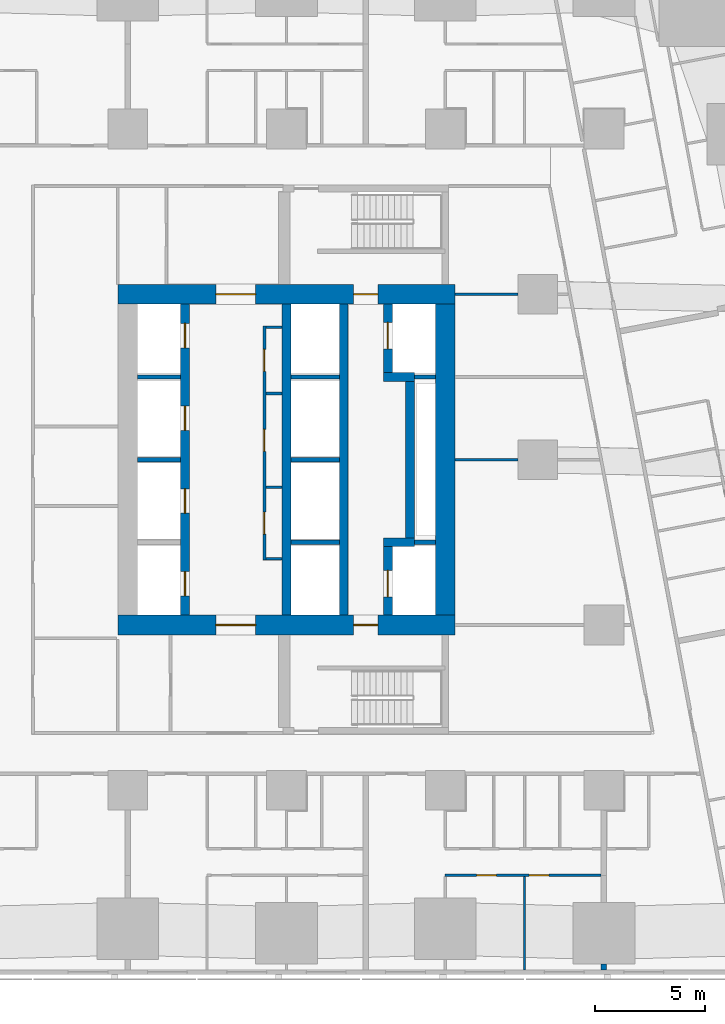
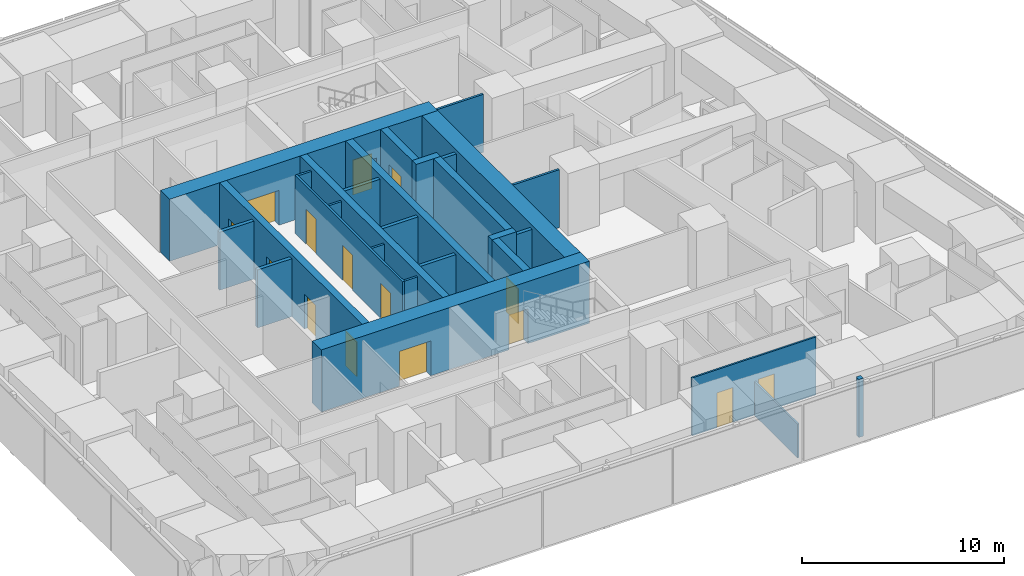
# One storey, part 8 of 18: 28 walls, 15 doors, 15 openings.
"""IFC4 building model written with IfcOpenShell, lengths in metres."""

from ifc_helpers import new_model, si_unit, direction, frame, frame_2d, origin, place, context, subcontext, project, spatial, rectangle, extrude, material, layer, layer_set, type_object, element, fill, save


model = new_model("IFC4")

# Units and contexts
model_context = context("Model", 3, precision=1e-05, world=origin(), true_north=direction((0.0, 1.0)))
body_context = subcontext(model_context, "Body", "Model", "MODEL_VIEW")
ifc_project = project(units=[si_unit("LENGTHUNIT", "METRE"), si_unit("AREAUNIT", "SQUARE_METRE"), si_unit("VOLUMEUNIT", "CUBIC_METRE"), si_unit("PLANEANGLEUNIT", "RADIAN"), si_unit("MASSUNIT", "GRAM", prefix="KILO")], contexts=[model_context])

# Site, building, storey
site_placement = place(None, origin())
site = spatial("IfcSite", under=ifc_project, at=site_placement, CompositionType="ELEMENT")
building_placement = place(site_placement, origin())
building = spatial("IfcBuilding", under=site, at=building_placement, Name="Sheger Commons Tower", CompositionType="ELEMENT")
storey_placement = place(building_placement, frame((0.0, 0.0, 31.25)))
storey = spatial("IfcBuildingStorey", under=building, at=storey_placement, Name="L07", CompositionType="ELEMENT", Elevation=31.25)

# Wall, openings, doors
ifc_material_1 = material(Name="Concrete C50/60", Category="concrete")
ifc_layer_1 = layer(ifc_material_1, 0.39990234375)
ifc_layer_set_1 = layer_set([ifc_layer_1], Name="CORE INNER WALL 400")
wall_type_1 = type_object("IfcWallType", Name="CORE INNER WALL 400", PredefinedType="SHEAR", material=ifc_layer_set_1)
wall_1_placement = place(storey_placement, frame((17.0, 15.449951171875, 0.0), z_axis=(0.0, 0.0, 1.0), x_axis=(0.0, 1.0, 0.0)))
wall_1 = element("IfcWall", 1, at=wall_1_placement, inside=storey, type_object=wall_type_1, Name="Core inner wall A L07", PredefinedType="SHEAR", context=body_context, shape_type="SweptSolid", body=[
    extrude(rectangle(XDim=14.10009765625, YDim=0.39990234375, at=frame_2d((7.050048828125, 0.0))), origin(), (0.0, 0.0, 1.0), 3.75),
])
opening_1_placement = place(wall_1_placement, frame((0.875, 0.0, 0.0)))
opening_1 = element("IfcOpeningElement", 2, at=opening_1_placement, cuts=wall_1, Name="Opening LD", PredefinedType="OPENING", context=body_context, shape_type="SweptSolid", body=[
    extrude(rectangle(XDim=1.10009765625, YDim=2.10009765625, at=frame_2d((0.550048828125, 1.050048828125))), frame((0.0, 0.2099609375, 0.0), z_axis=(0.0, -1.0, 0.0), x_axis=(1.0, 0.0, 0.0)), (0.0, 0.0, 1.0), 0.419921875),
])
opening_2_placement = place(wall_1_placement, frame((4.625, 0.0, 0.0)))
opening_2 = element("IfcOpeningElement", 3, at=opening_2_placement, cuts=wall_1, Name="Opening LD", PredefinedType="OPENING", context=body_context, shape_type="SweptSolid", body=[
    extrude(rectangle(XDim=1.10009765625, YDim=2.10009765625, at=frame_2d((0.550048828125, 1.050048828125))), frame((0.0, 0.2099609375, 0.0), z_axis=(0.0, -1.0, 0.0), x_axis=(1.0, 0.0, 0.0)), (0.0, 0.0, 1.0), 0.419921875),
])
opening_3_placement = place(wall_1_placement, frame((8.375, 0.0, 0.0)))
opening_3 = element("IfcOpeningElement", 4, at=opening_3_placement, cuts=wall_1, Name="Opening LD", PredefinedType="OPENING", context=body_context, shape_type="SweptSolid", body=[
    extrude(rectangle(XDim=1.10009765625, YDim=2.10009765625, at=frame_2d((0.550048828125, 1.050048828125))), frame((0.0, 0.2099609375, 0.0), z_axis=(0.0, -1.0, 0.0), x_axis=(1.0, 0.0, 0.0)), (0.0, 0.0, 1.0), 0.419921875),
])
opening_4_placement = place(wall_1_placement, frame((12.125, 0.0, 0.0)))
opening_4 = element("IfcOpeningElement", 5, at=opening_4_placement, cuts=wall_1, Name="Opening LD", PredefinedType="OPENING", context=body_context, shape_type="SweptSolid", body=[
    extrude(rectangle(XDim=1.10009765625, YDim=2.10009765625, at=frame_2d((0.550048828125, 1.050048828125))), frame((0.0, 0.2099609375, 0.0), z_axis=(0.0, -1.0, 0.0), x_axis=(1.0, 0.0, 0.0)), (0.0, 0.0, 1.0), 0.419921875),
])
ifc_material_2 = material(Name="Steel door set, fire rated", Category="steel")
door_type_1 = type_object("IfcDoorType", Name="LIFT LANDING DOOR 1100x2100", OperationType="DOUBLE_DOOR_SLIDING", PredefinedType="DOOR", material=ifc_material_2)
door_1_placement = place(opening_1_placement, origin())
door_1 = element("IfcDoor", 6, at=door_1_placement, inside=storey, type_object=door_type_1, Name="Lift LA1 landing door", OperationType="DOUBLE_DOOR_SLIDING", OverallHeight=2.10009765625, OverallWidth=1.10009765625, PredefinedType="DOOR", context=body_context, shape_type="SweptSolid", body=[
    extrude(rectangle(XDim=1.10009765625, YDim=2.10009765625, at=frame_2d((0.550048828125, 1.050048828125))), frame((0.0, 0.02490234375, 0.0), z_axis=(0.0, -1.0, 0.0), x_axis=(1.0, 0.0, 0.0)), (0.0, 0.0, 1.0), 0.050048828125),
])
fill(opening_1, door_1)
door_2_placement = place(opening_2_placement, origin())
door_2 = element("IfcDoor", 7, at=door_2_placement, inside=storey, type_object=door_type_1, Name="Lift LA2 landing door", OperationType="DOUBLE_DOOR_SLIDING", OverallHeight=2.10009765625, OverallWidth=1.10009765625, PredefinedType="DOOR", context=body_context, shape_type="SweptSolid", body=[
    extrude(rectangle(XDim=1.10009765625, YDim=2.10009765625, at=frame_2d((0.550048828125, 1.050048828125))), frame((0.0, 0.02490234375, 0.0), z_axis=(0.0, -1.0, 0.0), x_axis=(1.0, 0.0, 0.0)), (0.0, 0.0, 1.0), 0.050048828125),
])
fill(opening_2, door_2)
door_3_placement = place(opening_3_placement, origin())
door_3 = element("IfcDoor", 8, at=door_3_placement, inside=storey, type_object=door_type_1, Name="Lift LA3 landing door", OperationType="DOUBLE_DOOR_SLIDING", OverallHeight=2.10009765625, OverallWidth=1.10009765625, PredefinedType="DOOR", context=body_context, shape_type="SweptSolid", body=[
    extrude(rectangle(XDim=1.10009765625, YDim=2.10009765625, at=frame_2d((0.550048828125, 1.050048828125))), frame((0.0, 0.02490234375, 0.0), z_axis=(0.0, -1.0, 0.0), x_axis=(1.0, 0.0, 0.0)), (0.0, 0.0, 1.0), 0.050048828125),
])
fill(opening_3, door_3)
door_4_placement = place(opening_4_placement, origin())
door_4 = element("IfcDoor", 9, at=door_4_placement, inside=storey, type_object=door_type_1, Name="Lift LA4 landing door", OperationType="DOUBLE_DOOR_SLIDING", OverallHeight=2.10009765625, OverallWidth=1.10009765625, PredefinedType="DOOR", context=body_context, shape_type="SweptSolid", body=[
    extrude(rectangle(XDim=1.10009765625, YDim=2.10009765625, at=frame_2d((0.550048828125, 1.050048828125))), frame((0.0, 0.02490234375, 0.0), z_axis=(0.0, -1.0, 0.0), x_axis=(1.0, 0.0, 0.0)), (0.0, 0.0, 1.0), 0.050048828125),
])
fill(opening_4, door_4)

# Walls
for number, where, z_axis, x_axis, name in (
    (10, (21.60009765625, 15.449951171875, 0.0), (0.0, 0.0, 1.0), (0.0, 1.0, 0.0), "Core inner wall L L07"),
    (11, (24.199951171875, 15.449951171875, 0.0), (0.0, 0.0, 1.0), (0.0, 1.0, 0.0), "Core inner wall B L07"),
):
    element("IfcWall", number, at=place(storey_placement, frame(where, z_axis=z_axis, x_axis=x_axis)), inside=storey, type_object=wall_type_1, Name=name, PredefinedType="SHEAR", context=body_context, shape_type="SweptSolid", body=[
        extrude(rectangle(XDim=14.10009765625, YDim=0.39990234375, at=frame_2d((7.050048828125, 0.0))), origin(), (0.0, 0.0, 1.0), 3.75),
    ])

# Wall, opening, door
wall_2_placement = place(storey_placement, frame((26.199951171875, 15.449951171875, 0.0), z_axis=(0.0, 0.0, 1.0), x_axis=(0.0, 1.0, 0.0)))
wall_2 = element("IfcWall", 12, at=wall_2_placement, inside=storey, type_object=wall_type_1, Name="Core inner wall F L07", PredefinedType="SHEAR", context=body_context, shape_type="SweptSolid", body=[
    extrude(rectangle(XDim=3.10009765625, YDim=0.39990234375, at=frame_2d((1.550048828125, 0.0))), origin(), (0.0, 0.0, 1.0), 3.75),
])
opening_5_placement = place(wall_2_placement, frame((0.824951171875, 0.0, 0.0)))
opening_5 = element("IfcOpeningElement", 13, at=opening_5_placement, cuts=wall_2, Name="Opening LD2", PredefinedType="OPENING", context=body_context, shape_type="SweptSolid", body=[
    extrude(rectangle(XDim=1.199951171875, YDim=2.10009765625, at=frame_2d((0.60009765625, 1.050048828125))), frame((0.0, 0.2099609375, 0.0), z_axis=(0.0, -1.0, 0.0), x_axis=(1.0, 0.0, 0.0)), (0.0, 0.0, 1.0), 0.419921875),
])
ifc_material_3 = material(Name="Steel door set, fire rated", Category="steel")
door_type_2 = type_object("IfcDoorType", Name="FIREFIGHTING LIFT LANDING DOOR 1200x2100", OperationType="DOUBLE_DOOR_SLIDING", PredefinedType="DOOR", material=ifc_material_3)
door_5_placement = place(opening_5_placement, origin())
door_5 = element("IfcDoor", 14, at=door_5_placement, inside=storey, type_object=door_type_2, Name="Lift FL1 landing door", OperationType="DOUBLE_DOOR_SLIDING", OverallHeight=2.10009765625, OverallWidth=1.199951171875, PredefinedType="DOOR", context=body_context, shape_type="SweptSolid", body=[
    extrude(rectangle(XDim=1.199951171875, YDim=2.10009765625, at=frame_2d((0.60009765625, 1.050048828125))), frame((0.0, 0.02490234375, 0.0), z_axis=(0.0, -1.0, 0.0), x_axis=(1.0, 0.0, 0.0)), (0.0, 0.0, 1.0), 0.050048828125),
])
fill(opening_5, door_5)

# Walls
wall_3_placement = place(storey_placement, frame((26.0, 18.75, 0.0), z_axis=(0.0, 0.0, 1.0), x_axis=(1.0, 0.0, 0.0)))
element("IfcWall", 15, at=wall_3_placement, inside=storey, type_object=wall_type_1, Name="Core inner wall F south return L07", PredefinedType="SHEAR", context=body_context, shape_type="SweptSolid", body=[
    extrude(rectangle(XDim=1.39990234375, YDim=0.39990234375, at=frame_2d((0.699951171875, 0.0))), origin(), (0.0, 0.0, 1.0), 3.75),
])
wall_4_placement = place(storey_placement, frame((27.199951171875, 18.949951171875, 0.0), z_axis=(0.0, 0.0, 1.0), x_axis=(0.0, 1.0, 0.0)))
element("IfcWall", 16, at=wall_4_placement, inside=storey, type_object=wall_type_1, Name="Core inner wall F middle L07", PredefinedType="SHEAR", context=body_context, shape_type="SweptSolid", body=[
    extrude(rectangle(XDim=7.10009765625, YDim=0.39990234375, at=frame_2d((3.550048828125, 0.0))), origin(), (0.0, 0.0, 1.0), 3.75),
])
wall_5_placement = place(storey_placement, frame((26.0, 26.25, 0.0), z_axis=(0.0, 0.0, 1.0), x_axis=(1.0, 0.0, 0.0)))
element("IfcWall", 17, at=wall_5_placement, inside=storey, type_object=wall_type_1, Name="Core inner wall F north return L07", PredefinedType="SHEAR", context=body_context, shape_type="SweptSolid", body=[
    extrude(rectangle(XDim=1.39990234375, YDim=0.39990234375, at=frame_2d((0.699951171875, 0.0))), origin(), (0.0, 0.0, 1.0), 3.75),
])

# Wall, opening, door
wall_6_placement = place(storey_placement, frame((26.199951171875, 26.449951171875, 0.0), z_axis=(0.0, 0.0, 1.0), x_axis=(0.0, 1.0, 0.0)))
wall_6 = element("IfcWall", 18, at=wall_6_placement, inside=storey, type_object=wall_type_1, Name="Core inner wall F north L07", PredefinedType="SHEAR", context=body_context, shape_type="SweptSolid", body=[
    extrude(rectangle(XDim=3.10009765625, YDim=0.39990234375, at=frame_2d((1.550048828125, 0.0))), origin(), (0.0, 0.0, 1.0), 3.75),
])
opening_6_placement = place(wall_6_placement, frame((1.074951171875, 0.0, 0.0)))
opening_6 = element("IfcOpeningElement", 19, at=opening_6_placement, cuts=wall_6, Name="Opening LD2", PredefinedType="OPENING", context=body_context, shape_type="SweptSolid", body=[
    extrude(rectangle(XDim=1.199951171875, YDim=2.10009765625, at=frame_2d((0.60009765625, 1.050048828125))), frame((0.0, 0.2099609375, 0.0), z_axis=(0.0, -1.0, 0.0), x_axis=(1.0, 0.0, 0.0)), (0.0, 0.0, 1.0), 0.419921875),
])
door_6_placement = place(opening_6_placement, origin())
door_6 = element("IfcDoor", 20, at=door_6_placement, inside=storey, type_object=door_type_2, Name="Lift FL2 landing door", OperationType="DOUBLE_DOOR_SLIDING", OverallHeight=2.10009765625, OverallWidth=1.199951171875, PredefinedType="DOOR", context=body_context, shape_type="SweptSolid", body=[
    extrude(rectangle(XDim=1.199951171875, YDim=2.10009765625, at=frame_2d((0.60009765625, 1.050048828125))), frame((0.0, 0.02490234375, 0.0), z_axis=(0.0, -1.0, 0.0), x_axis=(1.0, 0.0, 0.0)), (0.0, 0.0, 1.0), 0.050048828125),
])
fill(opening_6, door_6)

# Wall, openings, doors
ifc_material_4 = material(Name="Concrete C50/60", Category="concrete")
ifc_layer_2 = layer(ifc_material_4, 0.89990234375)
ifc_layer_set_2 = layer_set([ifc_layer_2], Name="CORE WALL 900")
wall_type_2 = type_object("IfcWallType", Name="CORE WALL 900", PredefinedType="SHEAR", material=ifc_layer_set_2)
wall_7_placement = place(storey_placement, frame((13.949951171875, 15.0, 0.0), z_axis=(0.0, 0.0, 1.0), x_axis=(1.0, 0.0, 0.0)))
wall_7 = element("IfcWall", 21, at=wall_7_placement, inside=storey, type_object=wall_type_2, Name="Core wall south L07", PredefinedType="SHEAR", context=body_context, shape_type="SweptSolid", body=[
    extrude(rectangle(XDim=15.300048828125, YDim=0.89990234375, at=frame_2d((7.64990234375, 0.0))), origin(), (0.0, 0.0, 1.0), 3.75),
])
opening_7_placement = place(wall_7_placement, frame((4.449951171875, 0.0, 0.0)))
opening_7 = element("IfcOpeningElement", 22, at=opening_7_placement, cuts=wall_7, Name="Opening D6", PredefinedType="OPENING", context=body_context, shape_type="SweptSolid", body=[
    extrude(rectangle(XDim=1.800048828125, YDim=2.10009765625, at=frame_2d((0.89990234375, 1.050048828125))), frame((0.0, 0.4599609375, 0.0), z_axis=(0.0, -1.0, 0.0), x_axis=(1.0, 0.0, 0.0)), (0.0, 0.0, 1.0), 0.919921875),
])
opening_8_placement = place(wall_7_placement, frame((10.699951171875, 0.0, 0.0)))
opening_8 = element("IfcOpeningElement", 23, at=opening_8_placement, cuts=wall_7, Name="Opening D5", PredefinedType="OPENING", context=body_context, shape_type="SweptSolid", body=[
    extrude(rectangle(XDim=1.10009765625, YDim=2.10009765625, at=frame_2d((0.550048828125, 1.050048828125))), frame((0.0, 0.4599609375, 0.0), z_axis=(0.0, -1.0, 0.0), x_axis=(1.0, 0.0, 0.0)), (0.0, 0.0, 1.0), 0.919921875),
])
ifc_material_5 = material(Name="Steel door set, fire rated", Category="steel")
door_type_3 = type_object("IfcDoorType", Name="LOBBY DOUBLE DOOR 1800x2100", OperationType="DOUBLE_DOOR_SINGLE_SWING", PredefinedType="DOOR", material=ifc_material_5)
door_7_placement = place(opening_7_placement, origin())
door_7 = element("IfcDoor", 24, at=door_7_placement, inside=storey, type_object=door_type_3, Name="Lift lobby door", OperationType="DOUBLE_DOOR_SINGLE_SWING", OverallHeight=2.10009765625, OverallWidth=1.800048828125, PredefinedType="DOOR", context=body_context, shape_type="SweptSolid", body=[
    extrude(rectangle(XDim=1.800048828125, YDim=2.10009765625, at=frame_2d((0.89990234375, 1.050048828125))), frame((0.0, 0.02490234375, 0.0), z_axis=(0.0, -1.0, 0.0), x_axis=(1.0, 0.0, 0.0)), (0.0, 0.0, 1.0), 0.050048828125),
])
fill(opening_7, door_7)
ifc_material_6 = material(Name="Steel door set, fire rated", Category="steel")
door_type_4 = type_object("IfcDoorType", Name="STAIR DOOR 1100x2100", OperationType="NOTDEFINED", PredefinedType="DOOR", material=ifc_material_6)
door_8_placement = place(opening_8_placement, origin())
door_8 = element("IfcDoor", 25, at=door_8_placement, inside=storey, type_object=door_type_4, Name="Fire-fighting lobby door", OperationType="SINGLE_SWING_RIGHT", OverallHeight=2.10009765625, OverallWidth=1.10009765625, PredefinedType="DOOR", context=body_context, shape_type="SweptSolid", body=[
    extrude(rectangle(XDim=1.10009765625, YDim=2.10009765625, at=frame_2d((0.550048828125, 1.050048828125))), frame((0.0, 0.02490234375, 0.0), z_axis=(0.0, -1.0, 0.0), x_axis=(1.0, 0.0, 0.0)), (0.0, 0.0, 1.0), 0.050048828125),
])
fill(opening_8, door_8)

wall_8_placement = place(storey_placement, frame((13.949951171875, 30.0, 0.0), z_axis=(0.0, 0.0, 1.0), x_axis=(1.0, 0.0, 0.0)))
wall_8 = element("IfcWall", 26, at=wall_8_placement, inside=storey, type_object=wall_type_2, Name="Core wall north L07", PredefinedType="SHEAR", context=body_context, shape_type="SweptSolid", body=[
    extrude(rectangle(XDim=15.300048828125, YDim=0.89990234375, at=frame_2d((7.64990234375, 0.0))), origin(), (0.0, 0.0, 1.0), 3.75),
])
opening_9_placement = place(wall_8_placement, frame((4.449951171875, 0.0, 0.0)))
opening_9 = element("IfcOpeningElement", 27, at=opening_9_placement, cuts=wall_8, Name="Opening D6", PredefinedType="OPENING", context=body_context, shape_type="SweptSolid", body=[
    extrude(rectangle(XDim=1.800048828125, YDim=2.10009765625, at=frame_2d((0.89990234375, 1.050048828125))), frame((0.0, 0.4599609375, 0.0), z_axis=(0.0, -1.0, 0.0), x_axis=(1.0, 0.0, 0.0)), (0.0, 0.0, 1.0), 0.919921875),
])
opening_10_placement = place(wall_8_placement, frame((10.699951171875, 0.0, 0.0)))
opening_10 = element("IfcOpeningElement", 28, at=opening_10_placement, cuts=wall_8, Name="Opening D5", PredefinedType="OPENING", context=body_context, shape_type="SweptSolid", body=[
    extrude(rectangle(XDim=1.10009765625, YDim=2.10009765625, at=frame_2d((0.550048828125, 1.050048828125))), frame((0.0, 0.4599609375, 0.0), z_axis=(0.0, -1.0, 0.0), x_axis=(1.0, 0.0, 0.0)), (0.0, 0.0, 1.0), 0.919921875),
])
door_9_placement = place(opening_9_placement, origin())
door_9 = element("IfcDoor", 29, at=door_9_placement, inside=storey, type_object=door_type_3, Name="Lift lobby door", OperationType="DOUBLE_DOOR_SINGLE_SWING", OverallHeight=2.10009765625, OverallWidth=1.800048828125, PredefinedType="DOOR", context=body_context, shape_type="SweptSolid", body=[
    extrude(rectangle(XDim=1.800048828125, YDim=2.10009765625, at=frame_2d((0.89990234375, 1.050048828125))), frame((0.0, 0.02490234375, 0.0), z_axis=(0.0, -1.0, 0.0), x_axis=(1.0, 0.0, 0.0)), (0.0, 0.0, 1.0), 0.050048828125),
])
fill(opening_9, door_9)
door_10_placement = place(opening_10_placement, origin())
door_10 = element("IfcDoor", 30, at=door_10_placement, inside=storey, type_object=door_type_4, Name="Fire-fighting lobby door", OperationType="SINGLE_SWING_RIGHT", OverallHeight=2.10009765625, OverallWidth=1.10009765625, PredefinedType="DOOR", context=body_context, shape_type="SweptSolid", body=[
    extrude(rectangle(XDim=1.10009765625, YDim=2.10009765625, at=frame_2d((0.550048828125, 1.050048828125))), frame((0.0, 0.02490234375, 0.0), z_axis=(0.0, -1.0, 0.0), x_axis=(1.0, 0.0, 0.0)), (0.0, 0.0, 1.0), 0.050048828125),
])
fill(opening_10, door_10)

# Walls
wall_9_placement = place(storey_placement, frame((28.800048828125, 15.449951171875, 0.0), z_axis=(0.0, 0.0, 1.0), x_axis=(0.0, 1.0, 0.0)))
element("IfcWall", 31, at=wall_9_placement, inside=storey, type_object=wall_type_2, Name="Core wall east L07", PredefinedType="SHEAR", context=body_context, shape_type="SweptSolid", body=[
    extrude(rectangle(XDim=14.10009765625, YDim=0.89990234375, at=frame_2d((7.050048828125, 0.0))), origin(), (0.0, 0.0, 1.0), 3.75),
])
ifc_material_7 = material(Name="Dense concrete block masonry, plastered both sides (separating wall between flats)", Category="masonry")
ifc_layer_3 = layer(ifc_material_7, 0.25)
ifc_layer_set_3 = layer_set([ifc_layer_3], Name="DEMISING WALL 250")
wall_type_3 = type_object("IfcWallType", Name="DEMISING WALL 250", PredefinedType="SOLIDWALL", material=ifc_layer_set_3)
wall_10_placement = place(storey_placement, frame((36.0, -0.64990234375, 0.0), z_axis=(0.0, 0.0, 1.0), x_axis=(0.0, 1.0, 0.0)))
element("IfcWall", 32, at=wall_10_placement, inside=storey, type_object=wall_type_3, Name="Demising wall L07", PredefinedType="SOLIDWALL", context=body_context, shape_type="SweptSolid", body=[
    extrude(rectangle(XDim=0.27392578125, YDim=0.25, at=frame_2d((0.136962890625, 0.0))), origin(), (0.0, 0.0, 1.0), 3.5),
])

# Wall, openings, doors
ifc_material_8 = material(Name="Gypsum board on steel studs", Category="steel")
ifc_layer_4 = layer(ifc_material_8, 0.10009765625)
ifc_layer_set_4 = layer_set([ifc_layer_4], Name="PARTITION 100")
wall_type_4 = type_object("IfcWallType", Name="PARTITION 100", PredefinedType="PARTITIONING", material=ifc_layer_set_4)
wall_11_placement = place(storey_placement, frame((35.875, 3.64990234375, 0.0), z_axis=(0.0, 0.0, 1.0), x_axis=(-1.0, 0.0, 0.0)))
wall_11 = element("IfcWall", 33, at=wall_11_placement, inside=storey, type_object=wall_type_4, Name="Partition L07", PredefinedType="PARTITIONING", context=body_context, shape_type="SweptSolid", body=[
    extrude(rectangle(XDim=7.074951171875, YDim=0.10009765625, at=frame_2d((3.53759765625, 0.0))), origin(), (0.0, 0.0, 1.0), 3.5),
])
opening_11_placement = place(wall_11_placement, frame((4.75, 0.0, 0.0)))
opening_11 = element("IfcOpeningElement", 34, at=opening_11_placement, cuts=wall_11, Name="Opening D2", PredefinedType="OPENING", context=body_context, shape_type="SweptSolid", body=[
    extrude(rectangle(XDim=0.89990234375, YDim=2.10009765625, at=frame_2d((0.449951171875, 1.050048828125))), frame((0.0, 0.06005859375, 0.0), z_axis=(0.0, -1.0, 0.0), x_axis=(1.0, 0.0, 0.0)), (0.0, 0.0, 1.0), 0.1201171875),
])
opening_12_placement = place(wall_11_placement, frame((2.375, 0.0, 0.0)))
opening_12 = element("IfcOpeningElement", 35, at=opening_12_placement, cuts=wall_11, Name="Opening D2", PredefinedType="OPENING", context=body_context, shape_type="SweptSolid", body=[
    extrude(rectangle(XDim=0.89990234375, YDim=2.10009765625, at=frame_2d((0.449951171875, 1.050048828125))), frame((0.0, 0.06005859375, 0.0), z_axis=(0.0, -1.0, 0.0), x_axis=(1.0, 0.0, 0.0)), (0.0, 0.0, 1.0), 0.1201171875),
])
ifc_material_9 = material(Name="Timber door set", Category="wood")
door_type_5 = type_object("IfcDoorType", Name="INTERNAL DOOR 900x2100", OperationType="NOTDEFINED", PredefinedType="DOOR", material=ifc_material_9)
door_11_placement = place(opening_11_placement, origin())
door_11 = element("IfcDoor", 36, at=door_11_placement, inside=storey, type_object=door_type_5, Name="Main bedroom door", OperationType="SINGLE_SWING_RIGHT", OverallHeight=2.10009765625, OverallWidth=0.89990234375, PredefinedType="DOOR", context=body_context, shape_type="SweptSolid", body=[
    extrude(rectangle(XDim=0.89990234375, YDim=2.10009765625, at=frame_2d((0.449951171875, 1.050048828125))), frame((0.0, 0.02490234375, 0.0), z_axis=(0.0, -1.0, 0.0), x_axis=(1.0, 0.0, 0.0)), (0.0, 0.0, 1.0), 0.050048828125),
])
fill(opening_11, door_11)
door_12_placement = place(opening_12_placement, origin())
door_12 = element("IfcDoor", 37, at=door_12_placement, inside=storey, type_object=door_type_5, Name="Bedroom 2 door", OperationType="SINGLE_SWING_RIGHT", OverallHeight=2.10009765625, OverallWidth=0.89990234375, PredefinedType="DOOR", context=body_context, shape_type="SweptSolid", body=[
    extrude(rectangle(XDim=0.89990234375, YDim=2.10009765625, at=frame_2d((0.449951171875, 1.050048828125))), frame((0.0, 0.02490234375, 0.0), z_axis=(0.0, -1.0, 0.0), x_axis=(1.0, 0.0, 0.0)), (0.0, 0.0, 1.0), 0.050048828125),
])
fill(opening_12, door_12)

# Walls
wall_12_placement = place(storey_placement, frame((32.39990234375, -0.64990234375, 0.0), z_axis=(0.0, 0.0, 1.0), x_axis=(0.0, 1.0, 0.0)))
element("IfcWall", 38, at=wall_12_placement, inside=storey, type_object=wall_type_4, Name="Partition L07", PredefinedType="PARTITIONING", context=body_context, shape_type="SweptSolid", body=[
    extrude(rectangle(XDim=4.25, YDim=0.10009765625, at=frame_2d((2.125, 0.0))), origin(), (0.0, 0.0, 1.0), 2.050048828125),
])
ifc_material_10 = material(Name="Gypsum board on steel studs, two layers each side, fire rated", Category="steel")
ifc_layer_5 = layer(ifc_material_10, 0.125)
ifc_layer_set_5 = layer_set([ifc_layer_5], Name="SERVICE WALL 125")
wall_type_5 = type_object("IfcWallType", Name="SERVICE WALL 125", PredefinedType="PARTITIONING", material=ifc_layer_set_5)
for number, where, z_axis, x_axis, name in (
    (39, (29.25, 22.5, 0.0), (0.0, 0.0, 1.0), (1.0, 0.0, 0.0), "Service room wall L07"),
    (40, (29.25, 30.0, 0.0), (0.0, 0.0, 1.0), (1.0, 0.0, 0.0), "Service room wall L07"),
):
    element("IfcWall", number, at=place(storey_placement, frame(where, z_axis=z_axis, x_axis=x_axis)), inside=storey, type_object=wall_type_5, Name=name, PredefinedType="PARTITIONING", context=body_context, shape_type="SweptSolid", body=[
        extrude(rectangle(XDim=2.84912109375, YDim=0.125, at=frame_2d((1.424560546875, 0.0))), origin(), (0.0, 0.0, 1.0), 3.5),
    ])

# Wall, openings, doors
wall_13_placement = place(storey_placement, frame((20.60009765625, 17.93798828125, 0.0), z_axis=(0.0, 0.0, 1.0), x_axis=(0.0, 1.0, 0.0)))
wall_13 = element("IfcWall", 41, at=wall_13_placement, inside=storey, type_object=wall_type_5, Name="Service room wall L07", PredefinedType="PARTITIONING", context=body_context, shape_type="SweptSolid", body=[
    extrude(rectangle(XDim=10.6240234375, YDim=0.125, at=frame_2d((5.31201171875, 0.0))), origin(), (0.0, 0.0, 1.0), 3.5),
])
opening_13_placement = place(wall_13_placement, frame((1.18701171875, 0.0, 0.0)))
opening_13 = element("IfcOpeningElement", 42, at=opening_13_placement, cuts=wall_13, Name="Opening D4", PredefinedType="OPENING", context=body_context, shape_type="SweptSolid", body=[
    extrude(rectangle(XDim=1.0, YDim=2.10009765625, at=frame_2d((0.5, 1.050048828125))), frame((0.0, 0.072509765625, 0.0), z_axis=(0.0, -1.0, 0.0), x_axis=(1.0, 0.0, 0.0)), (0.0, 0.0, 1.0), 0.14501953125),
])
opening_14_placement = place(wall_13_placement, frame((4.93701171875, 0.0, 0.0)))
opening_14 = element("IfcOpeningElement", 43, at=opening_14_placement, cuts=wall_13, Name="Opening D4", PredefinedType="OPENING", context=body_context, shape_type="SweptSolid", body=[
    extrude(rectangle(XDim=1.0, YDim=2.10009765625, at=frame_2d((0.5, 1.050048828125))), frame((0.0, 0.072509765625, 0.0), z_axis=(0.0, -1.0, 0.0), x_axis=(1.0, 0.0, 0.0)), (0.0, 0.0, 1.0), 0.14501953125),
])
opening_15_placement = place(wall_13_placement, frame((8.56201171875, 0.0, 0.0)))
opening_15 = element("IfcOpeningElement", 44, at=opening_15_placement, cuts=wall_13, Name="Opening D4", PredefinedType="OPENING", context=body_context, shape_type="SweptSolid", body=[
    extrude(rectangle(XDim=1.0, YDim=2.10009765625, at=frame_2d((0.5, 1.050048828125))), frame((0.0, 0.072509765625, 0.0), z_axis=(0.0, -1.0, 0.0), x_axis=(1.0, 0.0, 0.0)), (0.0, 0.0, 1.0), 0.14501953125),
])
ifc_material_11 = material(Name="Steel door set, fire rated", Category="steel")
door_type_6 = type_object("IfcDoorType", Name="SERVICE DOOR 1000x2100", OperationType="NOTDEFINED", PredefinedType="DOOR", material=ifc_material_11)
door_13_placement = place(opening_13_placement, origin())
door_13 = element("IfcDoor", 45, at=door_13_placement, inside=storey, type_object=door_type_6, Name="Housekeeping cupboard door", OperationType="SINGLE_SWING_LEFT", OverallHeight=2.10009765625, OverallWidth=1.0, PredefinedType="DOOR", context=body_context, shape_type="SweptSolid", body=[
    extrude(rectangle(XDim=1.0, YDim=2.10009765625, at=frame_2d((0.5, 1.050048828125))), frame((0.0, 0.02490234375, 0.0), z_axis=(0.0, -1.0, 0.0), x_axis=(1.0, 0.0, 0.0)), (0.0, 0.0, 1.0), 0.050048828125),
])
fill(opening_13, door_13)
door_14_placement = place(opening_14_placement, origin())
door_14 = element("IfcDoor", 46, at=door_14_placement, inside=storey, type_object=door_type_6, Name="Water meter cupboard door", OperationType="SINGLE_SWING_RIGHT", OverallHeight=2.10009765625, OverallWidth=1.0, PredefinedType="DOOR", context=body_context, shape_type="SweptSolid", body=[
    extrude(rectangle(XDim=1.0, YDim=2.10009765625, at=frame_2d((0.5, 1.050048828125))), frame((0.0, 0.02490234375, 0.0), z_axis=(0.0, -1.0, 0.0), x_axis=(1.0, 0.0, 0.0)), (0.0, 0.0, 1.0), 0.050048828125),
])
fill(opening_14, door_14)
door_15_placement = place(opening_15_placement, origin())
door_15 = element("IfcDoor", 47, at=door_15_placement, inside=storey, type_object=door_type_6, Name="Linen cupboard door", OperationType="SINGLE_SWING_RIGHT", OverallHeight=2.10009765625, OverallWidth=1.0, PredefinedType="DOOR", context=body_context, shape_type="SweptSolid", body=[
    extrude(rectangle(XDim=1.0, YDim=2.10009765625, at=frame_2d((0.5, 1.050048828125))), frame((0.0, 0.02490234375, 0.0), z_axis=(0.0, -1.0, 0.0), x_axis=(1.0, 0.0, 0.0)), (0.0, 0.0, 1.0), 0.050048828125),
])
fill(opening_15, door_15)

# Walls
for number, where, z_axis, x_axis, name in (
    (48, (20.6630859375, 18.0, 0.0), (0.0, 0.0, 1.0), (1.0, 0.0, 0.0), "Service room wall L07"),
    (49, (20.6630859375, 28.5, 0.0), (0.0, 0.0, 1.0), (1.0, 0.0, 0.0), "Service room wall L07"),
    (50, (20.6630859375, 21.25, 0.0), (0.0, 0.0, 1.0), (1.0, 0.0, 0.0), "Service room wall L07"),
    (51, (20.6630859375, 25.5, 0.0), (0.0, 0.0, 1.0), (1.0, 0.0, 0.0), "Service room wall L07"),
):
    element("IfcWall", number, at=place(storey_placement, frame(where, z_axis=z_axis, x_axis=x_axis)), inside=storey, type_object=wall_type_5, Name=name, PredefinedType="PARTITIONING", context=body_context, shape_type="SweptSolid", body=[
        extrude(rectangle(XDim=0.73681640625, YDim=0.125, at=frame_2d((0.368408203125, 0.0))), origin(), (0.0, 0.0, 1.0), 3.5),
    ])
ifc_material_12 = material(Name="Hollow concrete block masonry", Category="masonry")
ifc_layer_6 = layer(ifc_material_12, 0.199951171875)
ifc_layer_set_6 = layer_set([ifc_layer_6], Name="SHAFT WALL 200")
wall_type_6 = type_object("IfcWallType", Name="SHAFT WALL 200", PredefinedType="SOLIDWALL", material=ifc_layer_set_6)
wall_14_placement = place(storey_placement, frame((21.800048828125, 18.75, 0.0), z_axis=(0.0, 0.0, 1.0), x_axis=(1.0, 0.0, 0.0)))
element("IfcWall", 52, at=wall_14_placement, inside=storey, type_object=wall_type_6, Name="Lift shaft wall L07", PredefinedType="SOLIDWALL", context=body_context, shape_type="SweptSolid", body=[
    extrude(rectangle(XDim=2.199951171875, YDim=0.199951171875, at=frame_2d((1.10009765625, 0.0))), origin(), (0.0, 0.0, 1.0), 3.5),
])
wall_15_placement = place(storey_placement, frame((14.85009765625, 22.5, 0.0), z_axis=(0.0, 0.0, 1.0), x_axis=(1.0, 0.0, 0.0)))
element("IfcWall", 53, at=wall_15_placement, inside=storey, type_object=wall_type_6, Name="Lift shaft wall L07", PredefinedType="SOLIDWALL", context=body_context, shape_type="SweptSolid", body=[
    extrude(rectangle(XDim=1.949951171875, YDim=0.199951171875, at=frame_2d((0.97509765625, 0.0))), origin(), (0.0, 0.0, 1.0), 3.5),
])
wall_16_placement = place(storey_placement, frame((21.800048828125, 22.5, 0.0), z_axis=(0.0, 0.0, 1.0), x_axis=(1.0, 0.0, 0.0)))
element("IfcWall", 54, at=wall_16_placement, inside=storey, type_object=wall_type_6, Name="Lift shaft wall L07", PredefinedType="SOLIDWALL", context=body_context, shape_type="SweptSolid", body=[
    extrude(rectangle(XDim=2.199951171875, YDim=0.199951171875, at=frame_2d((1.10009765625, 0.0))), origin(), (0.0, 0.0, 1.0), 3.5),
])
wall_17_placement = place(storey_placement, frame((14.85009765625, 26.25, 0.0), z_axis=(0.0, 0.0, 1.0), x_axis=(1.0, 0.0, 0.0)))
element("IfcWall", 55, at=wall_17_placement, inside=storey, type_object=wall_type_6, Name="Lift shaft wall L07", PredefinedType="SOLIDWALL", context=body_context, shape_type="SweptSolid", body=[
    extrude(rectangle(XDim=1.949951171875, YDim=0.199951171875, at=frame_2d((0.97509765625, 0.0))), origin(), (0.0, 0.0, 1.0), 3.5),
])
wall_18_placement = place(storey_placement, frame((21.800048828125, 26.25, 0.0), z_axis=(0.0, 0.0, 1.0), x_axis=(1.0, 0.0, 0.0)))
element("IfcWall", 56, at=wall_18_placement, inside=storey, type_object=wall_type_6, Name="Lift shaft wall L07", PredefinedType="SOLIDWALL", context=body_context, shape_type="SweptSolid", body=[
    extrude(rectangle(XDim=2.199951171875, YDim=0.199951171875, at=frame_2d((1.10009765625, 0.0))), origin(), (0.0, 0.0, 1.0), 3.5),
])
for number, where, z_axis, x_axis, name in (
    (57, (27.39990234375, 18.75, 0.0), (0.0, 0.0, 1.0), (1.0, 0.0, 0.0), "Lift shaft wall L07"),
    (58, (27.39990234375, 26.25, 0.0), (0.0, 0.0, 1.0), (1.0, 0.0, 0.0), "Lift shaft wall L07"),
):
    element("IfcWall", number, at=place(storey_placement, frame(where, z_axis=z_axis, x_axis=x_axis)), inside=storey, type_object=wall_type_6, Name=name, PredefinedType="SOLIDWALL", context=body_context, shape_type="SweptSolid", body=[
        extrude(rectangle(XDim=0.9501953125, YDim=0.199951171875, at=frame_2d((0.47509765625, 0.0))), origin(), (0.0, 0.0, 1.0), 3.5),
    ])

save(model, "model.ifc")
